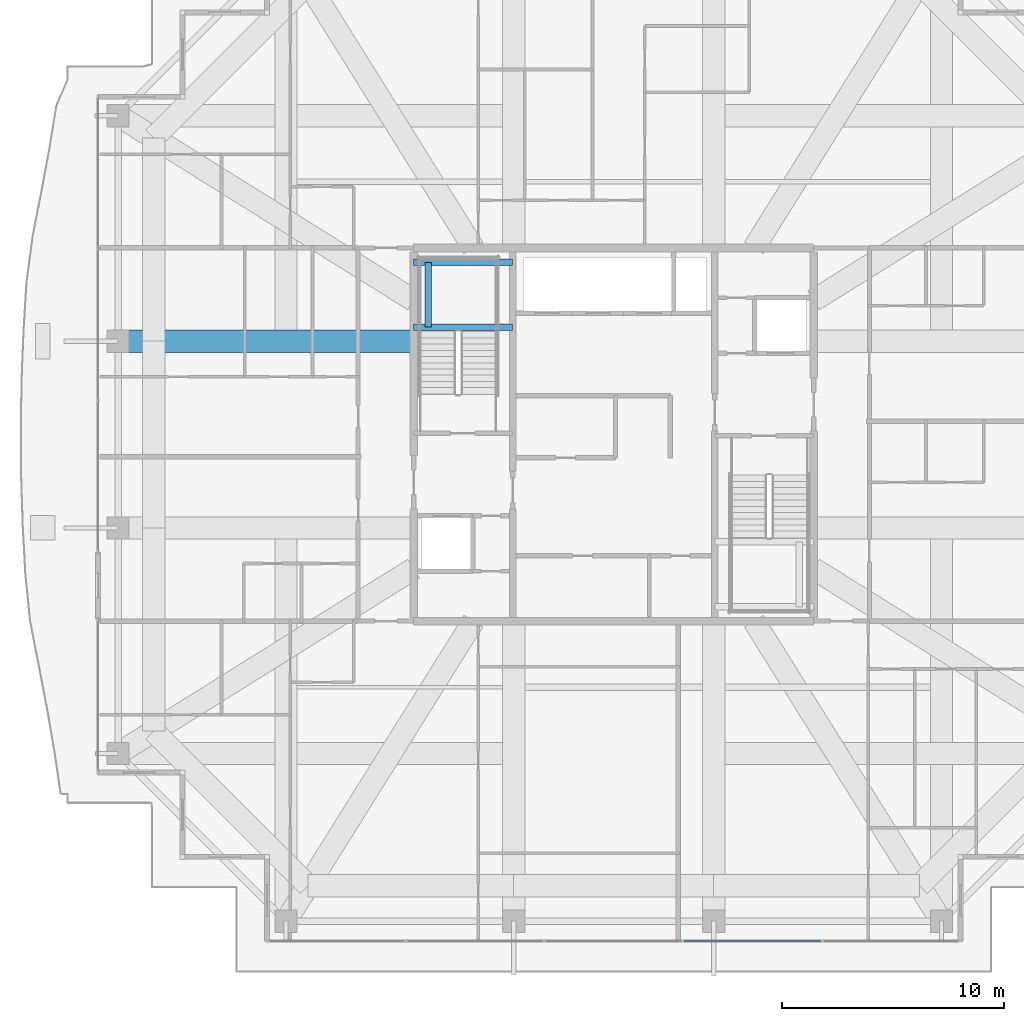
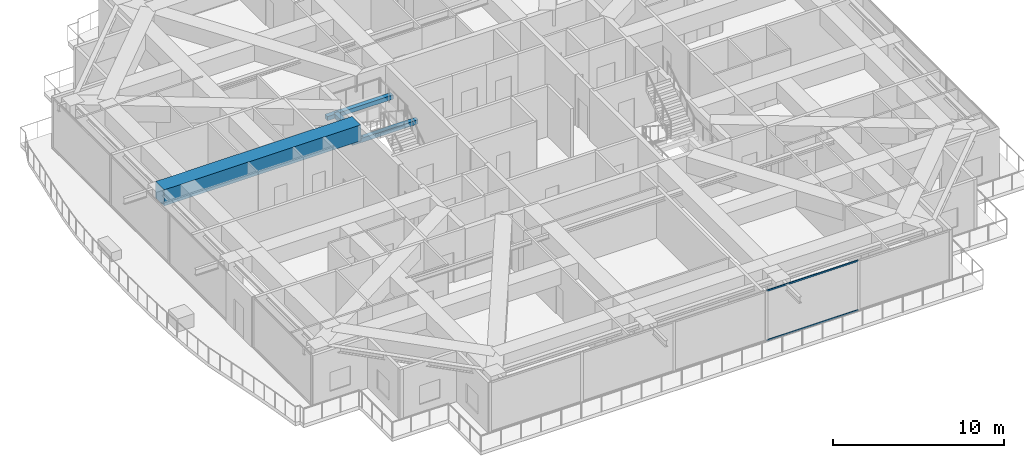
# One storey, part 12 of 40: 4 beams, 2 members, 1 element without a shape of its own.
"""IFC4 building model written with IfcOpenShell, lengths in metres."""

from ifc_helpers import new_model, si_unit, direction, frame, origin, origin_2d, place, context, subcontext, project, spatial, rectangle, hollow_rectangle, extrude, source, transform, mapped, material, layer, layer_set, material_profile, profile_set, type_object, element, aggregate, save


model = new_model("IFC4")

# Units and contexts
model_context = context("Model", 3, precision=1e-05, world=origin(), true_north=direction((0.0, 1.0)))
body_context = subcontext(model_context, "Body", "Model", "MODEL_VIEW")
ifc_project = project(units=[si_unit("LENGTHUNIT", "METRE"), si_unit("AREAUNIT", "SQUARE_METRE"), si_unit("VOLUMEUNIT", "CUBIC_METRE"), si_unit("PLANEANGLEUNIT", "RADIAN"), si_unit("MASSUNIT", "GRAM", prefix="KILO")], contexts=[model_context])

# Site, building, storey
site_placement = place(None, origin())
site = spatial("IfcSite", under=ifc_project, at=site_placement, CompositionType="ELEMENT")
building_placement = place(site_placement, origin())
building = spatial("IfcBuilding", under=site, at=building_placement, Name="Serunith Strait Residences", CompositionType="ELEMENT")
storey_placement = place(building_placement, frame((0.0, 0.0, 333.949951171875)))
storey = spatial("IfcBuildingStorey", under=building, at=storey_placement, Name="L83", CompositionType="ELEMENT", Elevation=333.949951171875)

# Beams
ifc_material_1 = material(Name="Concrete C80/95", Category="concrete")
ifc_material_profile_1 = material_profile(ifc_material_1, rectangle(XDim=1.0, YDim=1.14990234375, at=origin_2d()), Name="RC 1000x1150")
ifc_profile_set_1 = profile_set([ifc_material_profile_1], Name="Concrete C80/95")
beam_type_1 = type_object("IfcBeamType", Name="BM-XFER-1000x1150", PredefinedType="BEAM", material=ifc_profile_set_1)
shared_shape_1 = source(origin(), body_context, "Body", "SweptSolid", [
    extrude(rectangle(XDim=1.0, YDim=1.14990234375, at=origin_2d()), origin(), (0.0, 0.0, 1.0), 13.2998046875),
])
beam_1_placement = place(storey_placement, frame((23.39990234375, 29.39990234375, 3.03515625), z_axis=(-1.0, 0.0, 0.0), x_axis=(0.0, -1.0, 0.0)))
element("IfcBeam", 1, at=beam_1_placement, inside=storey, type_object=beam_type_1, Name="L83 Primary Floor Girder TC-W3", PredefinedType="BEAM", context=body_context, shape_type="MappedRepresentation", body=[
    mapped(shared_shape_1, transform((0.0, 0.0, 0.0), scale=1.0)),
])
ifc_material_2 = material(Name="Concrete C60/75", Category="concrete")
ifc_material_profile_2 = material_profile(ifc_material_2, rectangle(XDim=0.300048828125, YDim=0.300048828125, at=origin_2d()), Name="RC 300x300")
ifc_profile_set_2 = profile_set([ifc_material_profile_2], Name="Concrete C60/75")
beam_type_2 = type_object("IfcBeamType", Name="BM-LAND-300x300", PredefinedType="BEAM", material=ifc_profile_set_2)
shared_shape_2 = source(origin(), body_context, "Body", "SweptSolid", [
    extrude(rectangle(XDim=0.300048828125, YDim=0.300048828125, at=origin_2d()), origin(), (0.0, 0.0, 1.0), 4.4501953125),
])
for number, where, z_axis, x_axis, name in (
    (2, (23.39990234375, 30.030029296875, 1.675048828125), (1.0, 0.0, 0.0), (0.0, 1.0, 0.0), "L83 ST-1 Landing Support Beam 1"),
    (3, (23.39990234375, 32.949951171875, 1.675048828125), (1.0, 0.0, 0.0), (0.0, 1.0, 0.0), "L83 ST-1 Landing Support Beam 2"),
):
    element("IfcBeam", number, at=place(storey_placement, frame(where, z_axis=z_axis, x_axis=x_axis)), inside=storey, type_object=beam_type_2, Name=name, PredefinedType="BEAM", context=body_context, shape_type="MappedRepresentation", body=[
        mapped(shared_shape_2, transform((0.0, 0.0, 0.0), scale=1.0)),
    ])
shared_shape_3 = source(origin(), body_context, "Body", "SweptSolid", [
    extrude(rectangle(XDim=0.300048828125, YDim=0.300048828125, at=origin_2d()), origin(), (0.0, 0.0, 1.0), 2.919921875),
])
beam_2_placement = place(storey_placement, frame((24.050048828125, 30.030029296875, 1.675048828125), z_axis=(0.0, 1.0, 0.0), x_axis=(-1.0, 0.0, 0.0)))
element("IfcBeam", 4, at=beam_2_placement, inside=storey, type_object=beam_type_2, Name="L83 ST-1 Landing Transverse Tie Beam", PredefinedType="BEAM", context=body_context, shape_type="MappedRepresentation", body=[
    mapped(shared_shape_3, transform((0.0, 0.0, 0.0), scale=1.0)),
])

# Curtain wall, members
ifc_material_3 = material(Name="Brushed Stainless-Silver Aluminium", Category="aluminium")
ifc_layer = layer(ifc_material_3, 0.199951171875, Name="Brushed Stainless-Silver Aluminium")
ifc_layer_set = layer_set([ifc_layer], Name="Brushed Stainless-Silver Aluminium")
curtain_wall_type = type_object("IfcCurtainWallType", Name="CW-SYS5", PredefinedType="NOTDEFINED", material=ifc_layer_set)
curtain_wall_placement = place(storey_placement, origin())
curtain_wall = element("IfcCurtainWall", 5, at=curtain_wall_placement, inside=storey, type_object=curtain_wall_type, Name="L83 S Unitised Fritted Curtain Wall", PredefinedType="NOTDEFINED")
ifc_material_profile_3 = material_profile(ifc_material_3, hollow_rectangle(XDim=0.06005859375, YDim=0.1201171875, WallThickness=0.00341796875, InnerFilletRadius=0.00537109375, OuterFilletRadius=0.0087890625, at=origin_2d()), Name="ALU 120x60x3.5")
ifc_profile_set_3 = profile_set([ifc_material_profile_3], Name="Brushed Stainless-Silver Aluminium")
member_type = type_object("IfcMemberType", Name="CW-SYS5-TRAN", PredefinedType="USERDEFINED", material=ifc_profile_set_3)
shared_shape_4 = source(origin(), body_context, "Body", "SweptSolid", [
    extrude(hollow_rectangle(XDim=0.06005859375, YDim=0.1201171875, WallThickness=0.00341796875, InnerFilletRadius=0.00537109375, OuterFilletRadius=0.0087890625, at=origin_2d()), origin(), (0.0, 0.0, 1.0), 6.175048828125),
])
member_1_placement = place(storey_placement, frame((35.552490234375, 2.39990234375, 0.030029296875), z_axis=(1.0, 0.0, 0.0), x_axis=(0.0, 1.0, 0.0)))
member_1 = element("IfcMember", 6, at=member_1_placement, type_object=member_type, Name="CW-5 transom 4.1", ObjectType="TRANSOM", PredefinedType="USERDEFINED", context=body_context, shape_type="MappedRepresentation", body=[
    mapped(shared_shape_4, transform((0.0, 0.0, 0.0), scale=1.0)),
])
member_2_placement = place(storey_placement, frame((35.552490234375, 2.39990234375, 3.56494140625), z_axis=(1.0, 0.0, 0.0), x_axis=(0.0, 1.0, 0.0)))
member_2 = element("IfcMember", 7, at=member_2_placement, type_object=member_type, Name="CW-5 transom 4.2", ObjectType="TRANSOM", PredefinedType="USERDEFINED", context=body_context, shape_type="MappedRepresentation", body=[
    mapped(shared_shape_4, transform((0.0, 0.0, 0.0), scale=1.0)),
])
aggregate(curtain_wall, [member_1, member_2])

save(model, "model.ifc")
